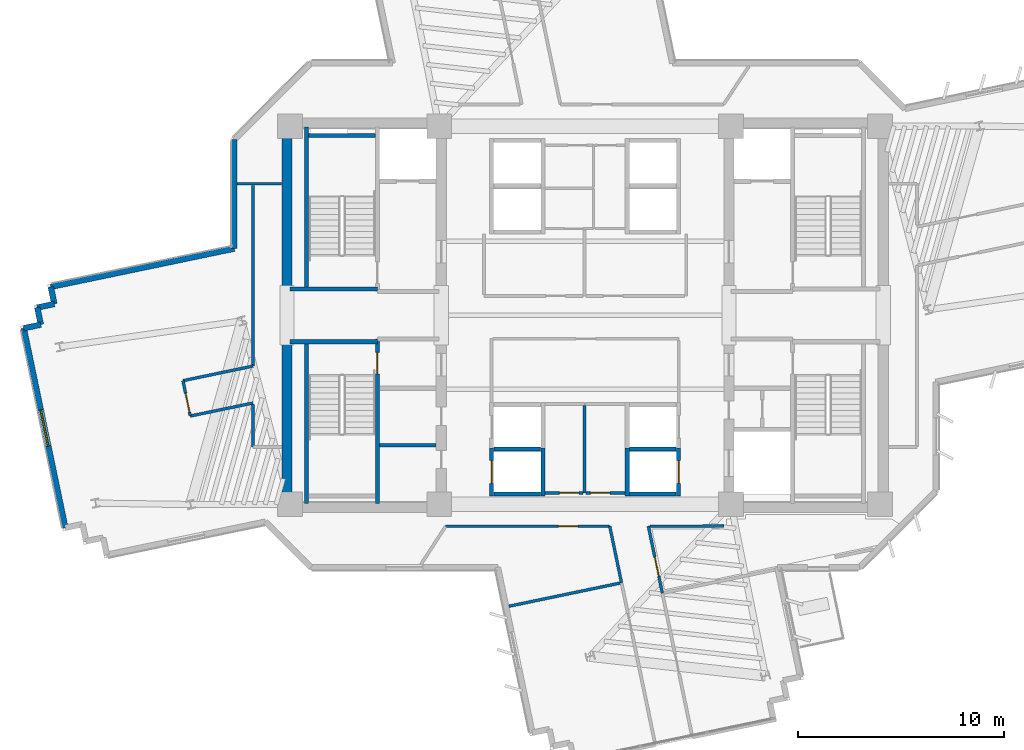
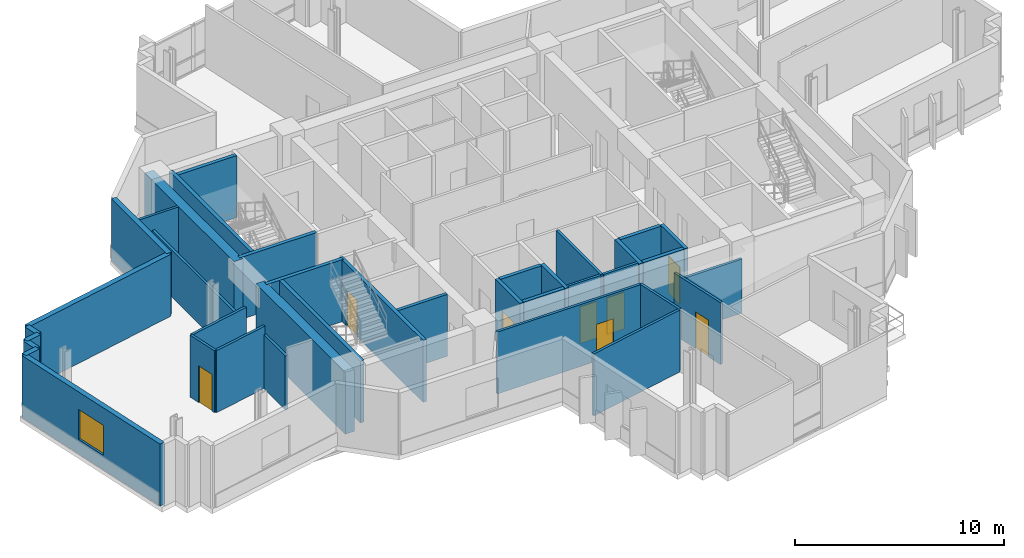
# One storey, part 7 of 14: 38 walls, 8 doors, 1 window, 9 openings.
"""IFC4 building model written with IfcOpenShell, lengths in metres."""

import ifcopenshell
import ifcopenshell.guid

model = None  # the IFC model being written
_history = None  # IfcOwnerHistory: only IFC2X3 demands one
_inside = {}  # id of a spatial element -> (the spatial element, [elements in it])
_under = {}  # id of a project, library or spatial element -> (it, [spatial elements below it])
_declared = {}  # id of a project -> (the project, [libraries it declares])
_typed = {}  # id of a type object -> (the type object, [elements of that type])
_made_of = {}  # id of a material, layer set ... -> (it, [elements and type objects made of it])


def new_model(schema):
    """Start an empty IFC model of exactly this schema.

    Asked for "IFC4X3", IfcOpenShell would pick the latest addendum, in which some entities
    have other attributes; the version numbers below select the first issue.
    IFC2X3 requires an IfcOwnerHistory on every rooted entity: one is made here for all.
    """
    global model, _history
    if schema == "IFC4X3":
        model = ifcopenshell.file(schema_version=(4, 3, 0, 0))
    else:
        model = ifcopenshell.file(schema=schema)
    _inside.clear()
    _under.clear()
    _declared.clear()
    _typed.clear()
    _made_of.clear()
    _history = None
    if model.schema == "IFC2X3":
        org = make("IfcOrganization", Name="unknown")
        user = make(
            "IfcPersonAndOrganization",
            ThePerson=make("IfcPerson", FamilyName="unknown"),
            TheOrganization=org,
        )
        app = make(
            "IfcApplication",
            ApplicationDeveloper=org,
            Version="unknown",
            ApplicationFullName="unknown",
            ApplicationIdentifier="unknown",
        )
        _history = make(
            "IfcOwnerHistory",
            OwningUser=user,
            OwningApplication=app,
            ChangeAction="ADDED",
            CreationDate=0,
        )
    return model


def make(cls, **values):
    """One entity of the class cls with the attributes given. An attribute that is None is left unset."""
    return model.create_entity(
        cls, **{name: value for name, value in values.items() if value is not None}
    )


def rooted(cls, **values):
    """An entity with a GlobalId (a new one), such as an element, a storey or a relation."""
    return make(cls, GlobalId=ifcopenshell.guid.new(), OwnerHistory=_history, **values)


def si_unit(unit_type, name, prefix=None):
    """IfcSIUnit, for example si_unit("LENGTHUNIT", "METRE", prefix="MILLI")."""
    return make("IfcSIUnit", UnitType=unit_type, Prefix=prefix, Name=name)


def assignment(units):
    """IfcUnitAssignment: the units of a project."""
    return None if units is None else make("IfcUnitAssignment", Units=units)


def point(xyz):
    """IfcCartesianPoint."""
    return None if xyz is None else make("IfcCartesianPoint", Coordinates=xyz)


def direction(xyz):
    """IfcDirection."""
    return None if xyz is None else make("IfcDirection", DirectionRatios=xyz)


def frame(location, z_axis=None, x_axis=None):
    """IfcAxis2Placement3D, a coordinate frame: its origin and axes. An axis left out is left unset."""
    return make(
        "IfcAxis2Placement3D",
        Location=point(location),
        Axis=direction(z_axis),
        RefDirection=direction(x_axis),
    )


def frame_2d(location, x_axis=None):
    """IfcAxis2Placement2D, a coordinate frame in the plane: its origin and x axis."""
    return make(
        "IfcAxis2Placement2D", Location=point(location), RefDirection=direction(x_axis)
    )


def origin():
    """The frame at (0, 0, 0) with its axes left unset."""
    return frame((0.0, 0.0, 0.0))


def place(relative_to, where):
    """IfcLocalPlacement: puts the frame where relative to a parent placement (None: the world)."""
    return make(
        "IfcLocalPlacement", PlacementRelTo=relative_to, RelativePlacement=where
    )


def context(
    kind, dimensions, precision=None, world=None, true_north=None, identifier=None
):
    """IfcGeometricRepresentationContext, for example the 3D "Model" context."""
    return make(
        "IfcGeometricRepresentationContext",
        ContextIdentifier=identifier,
        ContextType=kind,
        CoordinateSpaceDimension=dimensions,
        Precision=precision,
        WorldCoordinateSystem=world,
        TrueNorth=true_north,
    )


def subcontext(parent, identifier, kind, view, scale=None):
    """IfcGeometricRepresentationSubContext, for example "Body" below "Model"."""
    return make(
        "IfcGeometricRepresentationSubContext",
        ContextIdentifier=identifier,
        ContextType=kind,
        ParentContext=parent,
        TargetScale=scale,
        TargetView=view,
    )


def project(units=None, contexts=None):
    """IfcProject with its units and contexts."""
    return rooted(
        "IfcProject",
        Name="project",
        RepresentationContexts=contexts,
        UnitsInContext=assignment(units),
    )


def spatial(cls, under=None, at=None, **own):
    """A site, building, storey or space (cls), placed at a placement, below another one or the project."""
    s = rooted(cls, ObjectPlacement=at, **own)
    if under is not None:
        _under.setdefault(under.id(), (under, []))[1].append(s)
    return s


def profile(cls, at=None, kind="AREA", **sizes):
    """A parametric profile (cls). Its sizes go by their IFC names, for example OverallWidth=200.0."""
    return make(cls, ProfileType=kind, Position=at, **sizes)


def rectangle(**sizes):
    """IfcRectangleProfileDef."""
    return profile("IfcRectangleProfileDef", **sizes)


def extrude(swept, where, along, depth):
    """IfcExtrudedAreaSolid: the profile swept, set in the frame where, extruded along a direction by depth."""
    return make(
        "IfcExtrudedAreaSolid",
        SweptArea=swept,
        Position=where,
        ExtrudedDirection=direction(along),
        Depth=depth,
    )


def shape(context_of_items, identifier, shape_type, items):
    """IfcShapeRepresentation: the items that make up one representation, for example the "Body"."""
    return make(
        "IfcShapeRepresentation",
        ContextOfItems=context_of_items,
        RepresentationIdentifier=identifier,
        RepresentationType=shape_type,
        Items=items,
    )


def source(mapping_origin, context_of_items, identifier, shape_type, items):
    """IfcRepresentationMap: a shape defined once, which mapped items show again and again."""
    return make(
        "IfcRepresentationMap",
        MappingOrigin=mapping_origin,
        MappedRepresentation=shape(context_of_items, identifier, shape_type, items),
    )


def transform(
    local_origin,
    x_axis=None,
    y_axis=None,
    z_axis=None,
    scale=None,
    scale2=None,
    scale3=None,
    uniform=True,
):
    """IfcCartesianTransformationOperator3D, or its non-uniform kind. x_axis, y_axis, z_axis: its Axis1, 2, 3."""
    if uniform:
        return make(
            "IfcCartesianTransformationOperator3D",
            Axis1=direction(x_axis),
            Axis2=direction(y_axis),
            LocalOrigin=point(local_origin),
            Scale=scale,
            Axis3=direction(z_axis),
        )
    return make(
        "IfcCartesianTransformationOperator3DnonUniform",
        Axis1=direction(x_axis),
        Axis2=direction(y_axis),
        LocalOrigin=point(local_origin),
        Scale=scale,
        Axis3=direction(z_axis),
        Scale2=scale2,
        Scale3=scale3,
    )


def mapped(mapping_source, mapping_target):
    """IfcMappedItem: shows the shape of a source again, moved by a transform."""
    return make(
        "IfcMappedItem", MappingSource=mapping_source, MappingTarget=mapping_target
    )


def material(Name=None, Category=None):
    """IfcMaterial."""
    return make("IfcMaterial", Name=Name, Category=Category)


def layer(
    of_material, thickness, ventilated=None, Name=None, Category=None, Priority=None
):
    """IfcMaterialLayer: one layer of a wall or slab, of a material (None: an air gap)."""
    return make(
        "IfcMaterialLayer",
        Material=of_material,
        LayerThickness=thickness,
        IsVentilated=ventilated,
        Name=Name,
        Category=Category,
        Priority=Priority,
    )


def layer_set(layers, Name=None):
    """IfcMaterialLayerSet."""
    return make("IfcMaterialLayerSet", MaterialLayers=layers, LayerSetName=Name)


def made_of(thing, what):
    """Note that an element or type object is made of a material, layer set ...; save() writes the relation."""
    if what is not None:
        _made_of.setdefault(what.id(), (what, []))[1].append(thing)
    return thing


def type_object(cls, material=None, **own):
    """A type object (cls), such as IfcWallType, which elements share."""
    return made_of(rooted(cls, **own), material)


def element(
    cls,
    number,
    at=None,
    inside=None,
    cuts=None,
    type_object=None,
    material=None,
    context=None,
    identifier="Body",
    shape_type=None,
    held_by="IfcProductDefinitionShape",
    body=None,
    shapes=None,
    **own,
):
    """One element of the class cls, such as IfcWall. Its Tag is "e" and its number.

    at: its placement. inside: the storey or other place that contains it. cuts: it is an
    opening in that element (IfcRelVoidsElement). A single representation is given by context,
    identifier, shape_type and body (its items); several are given by shapes. held_by: the class
    of the entity that holds the representations. save() writes the other relations.
    """
    e = rooted(cls, Tag="e%d" % number, ObjectPlacement=at, **own)
    if body is not None:
        shapes = [shape(context, identifier, shape_type, body)]
    if shapes is not None:
        e.Representation = make(held_by, Representations=shapes)
    if inside is not None:
        _inside.setdefault(inside.id(), (inside, []))[1].append(e)
    if cuts is not None:
        rooted(
            "IfcRelVoidsElement", RelatingBuildingElement=cuts, RelatedOpeningElement=e
        )
    if type_object is not None:
        _typed.setdefault(type_object.id(), (type_object, []))[1].append(e)
    return made_of(e, material)


def fill(opening, filler):
    """IfcRelFillsElement: the door or window that sits in an opening."""
    return rooted(
        "IfcRelFillsElement",
        RelatingOpeningElement=opening,
        RelatedBuildingElement=filler,
    )


def aggregate(whole, parts):
    """IfcRelAggregates: a whole, such as a stair, and the parts it consists of."""
    return rooted("IfcRelAggregates", RelatingObject=whole, RelatedObjects=parts)


def save(model, path):
    """Write the relations noted so far, then the file.

    IfcRelAggregates (storeys below a building ...), IfcRelContainedInSpatialStructure (elements
    in a storey), IfcRelDefinesByType, IfcRelAssociatesMaterial and IfcRelDeclares: one each for
    every whole, place, type object, material and project.
    """
    for whole, parts in _under.values():
        aggregate(whole, parts)
    for where, things in _inside.values():
        rooted(
            "IfcRelContainedInSpatialStructure",
            RelatedElements=things,
            RelatingStructure=where,
        )
    for kind, things in _typed.values():
        rooted("IfcRelDefinesByType", RelatedObjects=things, RelatingType=kind)
    for what, things in _made_of.values():
        rooted("IfcRelAssociatesMaterial", RelatedObjects=things, RelatingMaterial=what)
    for by, libraries in _declared.values():
        rooted("IfcRelDeclares", RelatingContext=by, RelatedDefinitions=libraries)
    model.write(path)


model = new_model("IFC4")

# Units and contexts
model_context = context("Model", 3, precision=1e-05, world=origin(), true_north=direction((0.0, 1.0)))
body_context = subcontext(model_context, "Body", "Model", "MODEL_VIEW")
ifc_project = project(units=[si_unit("LENGTHUNIT", "METRE"), si_unit("AREAUNIT", "SQUARE_METRE"), si_unit("VOLUMEUNIT", "CUBIC_METRE"), si_unit("PLANEANGLEUNIT", "RADIAN"), si_unit("MASSUNIT", "GRAM", prefix="KILO")], contexts=[model_context])

# Site, building, storey
site_placement = place(None, origin())
site = spatial("IfcSite", under=ifc_project, at=site_placement, CompositionType="ELEMENT")
building_placement = place(site_placement, origin())
building = spatial("IfcBuilding", under=site, at=building_placement, Name="Zahravan Cultural Tower", CompositionType="ELEMENT")
storey_placement = place(building_placement, frame((0.0, 0.0, 166.800048828125)))
storey = spatial("IfcBuildingStorey", under=building, at=storey_placement, Name="L38", CompositionType="ELEMENT", Elevation=166.800048828125)

# Wall, opening, window
ifc_material_1 = material(Name="Precast concrete C40/50", Category="concrete")
ifc_layer_1 = layer(ifc_material_1, 0.280029296875)
ifc_layer_set_1 = layer_set([ifc_layer_1], Name="Precast concrete C40/50")
wall_type_1 = type_object("IfcWallType", Name="EW-TC-280", PredefinedType="SOLIDWALL", material=ifc_layer_set_1)
wall_1_placement = place(storey_placement, frame((10.71826171875, 16.660888671875, 0.0), z_axis=(0.0, 0.0, 1.0), x_axis=(-0.204150812873, 0.978939449406, 0.0)))
wall_1 = element("IfcWall", 1, at=wall_1_placement, inside=storey, type_object=wall_type_1, Name="L38 Exterior Masonry Frame Wall 32", PredefinedType="SOLIDWALL", context=body_context, shape_type="SweptSolid", body=[
    extrude(rectangle(XDim=9.919921875, YDim=0.280029296875, at=frame_2d((4.9599609375, 0.0))), origin(), (0.0, 0.0, 1.0), 3.619873046875),
])
opening_1_placement = place(wall_1_placement, frame((4.06005859375, 0.0, 0.85009765625)))
opening_1 = element("IfcOpeningElement", 2, at=opening_1_placement, cuts=wall_1, Name="Opening WN-02", PredefinedType="OPENING", context=body_context, shape_type="SweptSolid", body=[
    extrude(rectangle(XDim=1.800048828125, YDim=1.75, at=frame_2d((0.89990234375, 0.875))), frame((0.0, 0.14990234375, 0.0), z_axis=(0.0, -1.0, 0.0), x_axis=(1.0, 0.0, 0.0)), (0.0, 0.0, 1.0), 0.300048828125),
])
ifc_material_2 = material(Name="Low-E solar-control double glazing", Category="glass")
window_type = type_object("IfcWindowType", Name="WN-REC-1800X1750", PartitioningType="DOUBLE_PANEL_VERTICAL", PredefinedType="WINDOW", material=ifc_material_2)
shared_shape_1 = source(origin(), body_context, "Body", "SweptSolid", [
    extrude(rectangle(XDim=1.800048828125, YDim=1.75, at=frame_2d((0.89990234375, 0.875))), frame((0.0, 0.030029296875, 0.0), z_axis=(0.0, -1.0, 0.0), x_axis=(1.0, 0.0, 0.0)), (0.0, 0.0, 1.0), 0.06005859375),
])
window_placement = place(opening_1_placement, origin())
window = element("IfcWindow", 3, at=window_placement, inside=storey, type_object=window_type, Name="L38 Recessed Solar Window 08", OverallHeight=1.75, OverallWidth=1.800048828125, PartitioningType="DOUBLE_PANEL_VERTICAL", PredefinedType="WINDOW", context=body_context, shape_type="MappedRepresentation", body=[
    mapped(shared_shape_1, transform((0.0, 0.0, 0.0), x_axis=(1.0, 0.0, 0.0), y_axis=(0.0, 1.0, 0.0), z_axis=(0.0, 0.0, 1.0), scale=1.0)),
])
fill(opening_1, window)

# Wall, opening, door
ifc_material_3 = material(Name="Gypsum plasterboard partition")
ifc_layer_2 = layer(ifc_material_3, 0.139892578125)
ifc_layer_set_2 = layer_set([ifc_layer_2], Name="Gypsum plasterboard partition")
wall_type_2 = type_object("IfcWallType", Name="W-PART-140", PredefinedType="PARTITIONING", material=ifc_layer_set_2)
wall_2_placement = place(storey_placement, frame((35.89501953125, 18.360107421875, 0.0), z_axis=(0.0, 0.0, 1.0), x_axis=(-1.0, 0.0, 0.0)))
wall_2 = element("IfcWall", 4, at=wall_2_placement, inside=storey, type_object=wall_type_2, Name="L38 Interior Wall 065", PredefinedType="PARTITIONING", context=body_context, shape_type="SweptSolid", body=[
    extrude(rectangle(XDim=1.840087890625, YDim=0.139892578125, at=frame_2d((0.919921875, 0.0))), origin(), (0.0, 0.0, 1.0), 3.619873046875),
])
opening_2_placement = place(wall_2_placement, frame((0.19580078125, 0.0, 0.0)))
opening_2 = element("IfcOpeningElement", 5, at=opening_2_placement, cuts=wall_2, Name="Opening D-L38-18", PredefinedType="OPENING", context=body_context, shape_type="SweptSolid", body=[
    extrude(rectangle(XDim=0.949951171875, YDim=2.14990234375, at=frame_2d((0.47509765625, 1.074951171875))), frame((0.0, 0.079833984375, 0.0), z_axis=(0.0, -1.0, 0.0), x_axis=(1.0, 0.0, 0.0)), (0.0, 0.0, 1.0), 0.159912109375),
])
ifc_material_4 = material(Name="Anodised bronze-aluminium mullion", Category="aluminium")
door_type_1 = type_object("IfcDoorType", Name="DR-ROOM-950", OperationType="NOTDEFINED", PredefinedType="DOOR", material=ifc_material_4)
shared_shape_2 = source(origin(), body_context, "Body", "SweptSolid", [
    extrude(rectangle(XDim=0.949951171875, YDim=2.14990234375, at=frame_2d((0.47509765625, 1.074951171875))), frame((0.0, 0.02490234375, 0.0), z_axis=(0.0, -1.0, 0.0), x_axis=(1.0, 0.0, 0.0)), (0.0, 0.0, 1.0), 0.050048828125),
])
door_1_placement = place(opening_2_placement, origin())
door_1 = element("IfcDoor", 6, at=door_1_placement, inside=storey, type_object=door_type_1, Name="L38 Door D-L38-18", OperationType="SINGLE_SWING_LEFT", OverallHeight=2.14990234375, OverallWidth=0.949951171875, PredefinedType="DOOR", context=body_context, shape_type="MappedRepresentation", body=[
    mapped(shared_shape_2, transform((0.0, 0.0, 0.0), x_axis=(1.0, 0.0, 0.0), y_axis=(0.0, 1.0, 0.0), z_axis=(0.0, 0.0, 1.0), scale=1.0)),
])
fill(opening_2, door_1)

wall_3_placement = place(storey_placement, frame((37.945068359375, 18.360107421875, 0.0), z_axis=(0.0, 0.0, 1.0), x_axis=(-1.0, 0.0, 0.0)))
wall_3 = element("IfcWall", 7, at=wall_3_placement, inside=storey, type_object=wall_type_2, Name="L38 Interior Wall 067", PredefinedType="PARTITIONING", context=body_context, shape_type="SweptSolid", body=[
    extrude(rectangle(XDim=1.900146484375, YDim=0.139892578125, at=frame_2d((0.9501953125, 0.0))), origin(), (0.0, 0.0, 1.0), 3.619873046875),
])
opening_3_placement = place(wall_3_placement, frame((0.740966796875, 0.0, 0.0)))
opening_3 = element("IfcOpeningElement", 8, at=opening_3_placement, cuts=wall_3, Name="Opening D-L38-19", PredefinedType="OPENING", context=body_context, shape_type="SweptSolid", body=[
    extrude(rectangle(XDim=0.949951171875, YDim=2.14990234375, at=frame_2d((0.47509765625, 1.074951171875))), frame((0.0, 0.079833984375, 0.0), z_axis=(0.0, -1.0, 0.0), x_axis=(1.0, 0.0, 0.0)), (0.0, 0.0, 1.0), 0.159912109375),
])
door_2_placement = place(opening_3_placement, origin())
door_2 = element("IfcDoor", 9, at=door_2_placement, inside=storey, type_object=door_type_1, Name="L38 Door D-L38-19", OperationType="SINGLE_SWING_RIGHT", OverallHeight=2.14990234375, OverallWidth=0.949951171875, PredefinedType="DOOR", context=body_context, shape_type="MappedRepresentation", body=[
    mapped(shared_shape_2, transform((0.0, 0.0, 0.0), x_axis=(1.0, 0.0, 0.0), y_axis=(0.0, 1.0, 0.0), z_axis=(0.0, 0.0, 1.0), scale=1.0)),
])
fill(opening_3, door_2)

wall_4_placement = place(storey_placement, frame((29.219482421875, 16.739990234375, 0.0), z_axis=(0.0, 0.0, 1.0), x_axis=(1.0, 0.0, 0.0)))
wall_4 = element("IfcWall", 10, at=wall_4_placement, inside=storey, type_object=wall_type_2, Name="L38 Interior Wall 073", PredefinedType="PARTITIONING", context=body_context, shape_type="SweptSolid", body=[
    extrude(rectangle(XDim=7.98046875, YDim=0.139892578125, at=frame_2d((3.990234375, 0.0))), origin(), (0.0, 0.0, 1.0), 3.619873046875),
])
opening_4_placement = place(wall_4_placement, frame((5.483642578125, 0.0, 0.0)))
opening_4 = element("IfcOpeningElement", 11, at=opening_4_placement, cuts=wall_4, Name="Opening D-L38-25", PredefinedType="OPENING", context=body_context, shape_type="SweptSolid", body=[
    extrude(rectangle(XDim=0.949951171875, YDim=2.14990234375, at=frame_2d((0.47509765625, 1.074951171875))), frame((0.0, 0.079833984375, 0.0), z_axis=(0.0, -1.0, 0.0), x_axis=(1.0, 0.0, 0.0)), (0.0, 0.0, 1.0), 0.159912109375),
])
door_3_placement = place(opening_4_placement, origin())
door_3 = element("IfcDoor", 12, at=door_3_placement, inside=storey, type_object=door_type_1, Name="L38 Door D-L38-25", OperationType="SINGLE_SWING_RIGHT", OverallHeight=2.14990234375, OverallWidth=0.949951171875, PredefinedType="DOOR", context=body_context, shape_type="MappedRepresentation", body=[
    mapped(shared_shape_2, transform((0.0, 0.0, 0.0), x_axis=(1.0, 0.0, 0.0), y_axis=(0.0, 1.0, 0.0), z_axis=(0.0, 0.0, 1.0), scale=1.0)),
])
fill(opening_4, door_3)

wall_5_placement = place(storey_placement, frame((39.7587890625, 13.482666015625, 0.0), z_axis=(0.0, 0.0, 1.0), x_axis=(-0.204124193585, 0.97894500029, 0.0)))
wall_5 = element("IfcWall", 13, at=wall_5_placement, inside=storey, type_object=wall_type_2, Name="L38 Interior Wall 080", PredefinedType="PARTITIONING", context=body_context, shape_type="SweptSolid", body=[
    extrude(rectangle(XDim=3.327392578125, YDim=0.139892578125, at=frame_2d((1.66357421875, 0.0))), origin(), (0.0, 0.0, 1.0), 3.619873046875),
])
opening_5_placement = place(wall_5_placement, frame((0.83203125, 0.0, 0.0)))
opening_5 = element("IfcOpeningElement", 14, at=opening_5_placement, cuts=wall_5, Name="Opening D-L38-27", PredefinedType="OPENING", context=body_context, shape_type="SweptSolid", body=[
    extrude(rectangle(XDim=0.949951171875, YDim=2.14990234375, at=frame_2d((0.47509765625, 1.074951171875))), frame((0.0, 0.079833984375, 0.0), z_axis=(0.0, -1.0, 0.0), x_axis=(1.0, 0.0, 0.0)), (0.0, 0.0, 1.0), 0.159912109375),
])
door_4_placement = place(opening_5_placement, origin())
door_4 = element("IfcDoor", 15, at=door_4_placement, inside=storey, type_object=door_type_1, Name="L38 Door D-L38-27", OperationType="SINGLE_SWING_RIGHT", OverallHeight=2.14990234375, OverallWidth=0.949951171875, PredefinedType="DOOR", context=body_context, shape_type="MappedRepresentation", body=[
    mapped(shared_shape_2, transform((0.0, 0.0, 0.0), x_axis=(1.0, 0.0, 0.0), y_axis=(0.0, 1.0, 0.0), z_axis=(0.0, 0.0, 1.0), scale=1.0)),
])
fill(opening_5, door_4)

wall_6_placement = place(storey_placement, frame((16.43994140625, 23.818359375, 0.0), z_axis=(0.0, 0.0, 1.0), x_axis=(0.202959786933, -0.979187073489, 0.0)))
wall_6 = element("IfcWall", 16, at=wall_6_placement, inside=storey, type_object=wall_type_2, Name="L38 Interior Wall 099", PredefinedType="PARTITIONING", context=body_context, shape_type="SweptSolid", body=[
    extrude(rectangle(XDim=1.755126953125, YDim=0.139892578125, at=frame_2d((0.87744140625, 0.0))), origin(), (0.0, 0.0, 1.0), 3.619873046875),
])
opening_6_placement = place(wall_6_placement, frame((0.6279296875, 0.0, 0.0)))
opening_6 = element("IfcOpeningElement", 17, at=opening_6_placement, cuts=wall_6, Name="Opening D-L38-24", PredefinedType="OPENING", context=body_context, shape_type="SweptSolid", body=[
    extrude(rectangle(XDim=0.949951171875, YDim=2.14990234375, at=frame_2d((0.47509765625, 1.074951171875))), frame((0.0, 0.079833984375, 0.0), z_axis=(0.0, -1.0, 0.0), x_axis=(1.0, 0.0, 0.0)), (0.0, 0.0, 1.0), 0.159912109375),
])
door_5_placement = place(opening_6_placement, origin())
door_5 = element("IfcDoor", 18, at=door_5_placement, inside=storey, type_object=door_type_1, Name="L38 Door D-L38-24", OperationType="SINGLE_SWING_LEFT", OverallHeight=2.14990234375, OverallWidth=0.949951171875, PredefinedType="DOOR", context=body_context, shape_type="MappedRepresentation", body=[
    mapped(shared_shape_2, transform((0.0, 0.0, 0.0), x_axis=(1.0, 0.0, 0.0), y_axis=(0.0, 1.0, 0.0), z_axis=(0.0, 0.0, 1.0), scale=1.0)),
])
fill(opening_6, door_5)

ifc_material_5 = material(Name="Concrete C45/55", Category="concrete")
ifc_layer_3 = layer(ifc_material_5, 0.199951171875)
ifc_layer_set_3 = layer_set([ifc_layer_3], Name="Concrete C45/55")
wall_type_3 = type_object("IfcWallType", Name="W-SHAFT-200", PredefinedType="SOLIDWALL", material=ifc_layer_set_3)
wall_7_placement = place(storey_placement, frame((25.89990234375, 17.85009765625, 0.0), z_axis=(0.0, 0.0, 1.0), x_axis=(0.0, 1.0, 0.0)))
wall_7 = element("IfcWall", 19, at=wall_7_placement, inside=storey, type_object=wall_type_3, Name="L38 Interior Wall 005", PredefinedType="SOLIDWALL", context=body_context, shape_type="SweptSolid", body=[
    extrude(rectangle(XDim=8.0, YDim=0.199951171875, at=frame_2d((4.0, 0.0))), origin(), (0.0, 0.0, 1.0), 3.619873046875),
])
opening_7_placement = place(wall_7_placement, frame((6.300048828125, 0.0, 0.0)))
opening_7 = element("IfcOpeningElement", 20, at=opening_7_placement, cuts=wall_7, Name="Opening D-L38-04", PredefinedType="OPENING", context=body_context, shape_type="SweptSolid", body=[
    extrude(rectangle(XDim=1.050048828125, YDim=2.14990234375, at=frame_2d((0.52490234375, 1.074951171875))), frame((0.0, 0.10986328125, 0.0), z_axis=(0.0, -1.0, 0.0), x_axis=(1.0, 0.0, 0.0)), (0.0, 0.0, 1.0), 0.219970703125),
])
ifc_material_6 = material(Name="Steel ASTM A572 Grade 50", Category="steel")
door_type_2 = type_object("IfcDoorType", Name="DR-STAIR-1050", OperationType="NOTDEFINED", PredefinedType="DOOR", material=ifc_material_6)
shared_shape_3 = source(origin(), body_context, "Body", "SweptSolid", [
    extrude(rectangle(XDim=1.050048828125, YDim=2.14990234375, at=frame_2d((0.52490234375, 1.074951171875))), frame((0.0, 0.02490234375, 0.0), z_axis=(0.0, -1.0, 0.0), x_axis=(1.0, 0.0, 0.0)), (0.0, 0.0, 1.0), 0.050048828125),
])
door_6_placement = place(opening_7_placement, origin())
door_6 = element("IfcDoor", 21, at=door_6_placement, inside=storey, type_object=door_type_2, Name="L38 Door D-L38-04", OperationType="SINGLE_SWING_LEFT", OverallHeight=2.14990234375, OverallWidth=1.050048828125, PredefinedType="DOOR", context=body_context, shape_type="MappedRepresentation", body=[
    mapped(shared_shape_3, transform((0.0, 0.0, 0.0), x_axis=(1.0, 0.0, 0.0), y_axis=(0.0, 1.0, 0.0), z_axis=(0.0, 0.0, 1.0), scale=1.0)),
])
fill(opening_7, door_6)

wall_8_placement = place(storey_placement, frame((31.449951171875, 18.199951171875, 0.0), z_axis=(0.0, 0.0, 1.0), x_axis=(0.0, 1.0, 0.0)))
wall_8 = element("IfcWall", 22, at=wall_8_placement, inside=storey, type_object=wall_type_3, Name="L38 Interior Wall 046", PredefinedType="SOLIDWALL", context=body_context, shape_type="SweptSolid", body=[
    extrude(rectangle(XDim=2.35009765625, YDim=0.199951171875, at=frame_2d((1.175048828125, 0.0))), origin(), (0.0, 0.0, 1.0), 3.619873046875),
])
opening_8_placement = place(wall_8_placement, frame((0.625, 0.0, 0.0)))
opening_8 = element("IfcOpeningElement", 23, at=opening_8_placement, cuts=wall_8, Name="Opening LD-L38-05", PredefinedType="OPENING", context=body_context, shape_type="SweptSolid", body=[
    extrude(rectangle(XDim=1.10009765625, YDim=2.14990234375, at=frame_2d((0.550048828125, 1.074951171875))), frame((0.0, 0.10986328125, 0.0), z_axis=(0.0, -1.0, 0.0), x_axis=(1.0, 0.0, 0.0)), (0.0, 0.0, 1.0), 0.219970703125),
])
door_type_3 = type_object("IfcDoorType", Name="DR-LIFT-1100", OperationType="DOUBLE_DOOR_SLIDING", PredefinedType="DOOR", material=ifc_material_6)
shared_shape_4 = source(origin(), body_context, "Body", "SweptSolid", [
    extrude(rectangle(XDim=1.10009765625, YDim=2.14990234375, at=frame_2d((0.550048828125, 1.074951171875))), frame((0.0, 0.02490234375, 0.0), z_axis=(0.0, -1.0, 0.0), x_axis=(1.0, 0.0, 0.0)), (0.0, 0.0, 1.0), 0.050048828125),
])
door_7_placement = place(opening_8_placement, origin())
door_7 = element("IfcDoor", 24, at=door_7_placement, inside=storey, type_object=door_type_3, Name="L38 Door LD-L38-05", OperationType="DOUBLE_DOOR_SLIDING", OverallHeight=2.14990234375, OverallWidth=1.10009765625, PredefinedType="DOOR", context=body_context, shape_type="MappedRepresentation", body=[
    mapped(shared_shape_4, transform((0.0, 0.0, 0.0), x_axis=(1.0, 0.0, 0.0), y_axis=(0.0, 1.0, 0.0), z_axis=(0.0, 0.0, 1.0), scale=1.0)),
])
fill(opening_8, door_7)

wall_9_placement = place(storey_placement, frame((40.550048828125, 18.199951171875, 0.0), z_axis=(0.0, 0.0, 1.0), x_axis=(0.0, 1.0, 0.0)))
wall_9 = element("IfcWall", 25, at=wall_9_placement, inside=storey, type_object=wall_type_3, Name="L38 Interior Wall 054", PredefinedType="SOLIDWALL", context=body_context, shape_type="SweptSolid", body=[
    extrude(rectangle(XDim=2.35009765625, YDim=0.199951171875, at=frame_2d((1.175048828125, 0.0))), origin(), (0.0, 0.0, 1.0), 3.619873046875),
])
opening_9_placement = place(wall_9_placement, frame((0.625, 0.0, 0.0)))
opening_9 = element("IfcOpeningElement", 26, at=opening_9_placement, cuts=wall_9, Name="Opening LD-L38-07", PredefinedType="OPENING", context=body_context, shape_type="SweptSolid", body=[
    extrude(rectangle(XDim=1.10009765625, YDim=2.14990234375, at=frame_2d((0.550048828125, 1.074951171875))), frame((0.0, 0.10986328125, 0.0), z_axis=(0.0, -1.0, 0.0), x_axis=(1.0, 0.0, 0.0)), (0.0, 0.0, 1.0), 0.219970703125),
])
door_8_placement = place(opening_9_placement, origin())
door_8 = element("IfcDoor", 27, at=door_8_placement, inside=storey, type_object=door_type_3, Name="L38 Door LD-L38-07", OperationType="DOUBLE_DOOR_SLIDING", OverallHeight=2.14990234375, OverallWidth=1.10009765625, PredefinedType="DOOR", context=body_context, shape_type="MappedRepresentation", body=[
    mapped(shared_shape_4, transform((0.0, 0.0, 0.0), x_axis=(1.0, 0.0, 0.0), y_axis=(0.0, 1.0, 0.0), z_axis=(0.0, 0.0, 1.0), scale=1.0)),
])
fill(opening_9, door_8)

# Walls
ifc_material_7 = material(Name="Concrete C60/75", Category="concrete")
ifc_layer_4 = layer(ifc_material_7, 0.5)
ifc_layer_set_4 = layer_set([ifc_layer_4], Name="Concrete C60/75")
wall_type_4 = type_object("IfcWallType", Name="CW-SHEAR-500-C60", PredefinedType="SHEAR", material=ifc_layer_set_4)
shared_shape_5 = source(origin(), body_context, "Body", "SweptSolid", [
    extrude(rectangle(XDim=8.550048828125, YDim=0.5, at=frame_2d((4.27490234375, 0.0))), origin(), (0.0, 0.0, 1.0), 3.619873046875),
])
for number, where, z_axis, x_axis, name in (
    (28, (21.5, 17.39990234375, 0.0), (0.0, 0.0, 1.0), (0.0, 1.0, 0.0), "L38 Core Shear Wall CW-W-WS-L38"),
    (29, (21.5, 28.050048828125, 0.0), (0.0, 0.0, 1.0), (0.0, 1.0, 0.0), "L38 Core Shear Wall CW-W-WN-L38"),
):
    element("IfcWall", number, at=place(storey_placement, frame(where, z_axis=z_axis, x_axis=x_axis)), inside=storey, type_object=wall_type_4, Name=name, PredefinedType="SHEAR", context=body_context, shape_type="MappedRepresentation", body=[
        mapped(shared_shape_5, transform((0.0, 0.0, 0.0), x_axis=(1.0, 0.0, 0.0), y_axis=(0.0, 1.0, 0.0), z_axis=(0.0, 0.0, 1.0), scale=1.0)),
    ])
shared_shape_6 = source(origin(), body_context, "Body", "SweptSolid", [
    extrude(rectangle(XDim=0.85009765625, YDim=0.280029296875, at=frame_2d((0.425048828125, 0.0))), origin(), (0.0, 0.0, 1.0), 3.619873046875),
])
wall_10_placement = place(storey_placement, frame((10.18359375, 27.551025390625, 0.0), z_axis=(0.0, 0.0, 1.0), x_axis=(-0.203896913579, 0.97899236393, 0.0)))
element("IfcWall", 30, at=wall_10_placement, inside=storey, type_object=wall_type_1, Name="L38 Exterior Masonry Frame Wall 36", PredefinedType="SOLIDWALL", context=body_context, shape_type="MappedRepresentation", body=[
    mapped(shared_shape_6, transform((0.0, 0.0, 0.0), x_axis=(1.0, 0.0, 0.0), y_axis=(0.0, 1.0, 0.0), z_axis=(0.0, 0.0, 1.0), scale=1.0)),
])
shared_shape_7 = source(origin(), body_context, "Body", "SweptSolid", [
    extrude(rectangle(XDim=0.849853515625, YDim=0.280029296875, at=frame_2d((0.4248046875, 0.0))), origin(), (0.0, 0.0, 1.0), 3.619873046875),
])
for number, where, z_axis, x_axis, name in (
    (31, (8.693115234375, 26.371826171875, 0.0), (0.0, 0.0, 1.0), (0.978923028084, 0.20422954019, 0.0), "L38 Exterior Masonry Frame Wall 33"),
    (32, (9.525146484375, 26.54541015625, 0.0), (0.0, 0.0, 1.0), (-0.20422954019, 0.978923028084, 0.0), "L38 Exterior Masonry Frame Wall 34"),
    (33, (9.3515625, 27.37744140625, 0.0), (0.0, 0.0, 1.0), (0.978923028084, 0.20422954019, 0.0), "L38 Exterior Masonry Frame Wall 35"),
):
    element("IfcWall", number, at=place(storey_placement, frame(where, z_axis=z_axis, x_axis=x_axis)), inside=storey, type_object=wall_type_1, Name=name, PredefinedType="SOLIDWALL", context=body_context, shape_type="MappedRepresentation", body=[
        mapped(shared_shape_7, transform((0.0, 0.0, 0.0), x_axis=(1.0, 0.0, 0.0), y_axis=(0.0, 1.0, 0.0), z_axis=(0.0, 0.0, 1.0), scale=1.0)),
    ])
shared_shape_8 = source(origin(), body_context, "Body", "SweptSolid", [
    extrude(rectangle(XDim=9.121826171875, YDim=0.280029296875, at=frame_2d((4.56103515625, 0.0))), origin(), (0.0, 0.0, 1.0), 3.619873046875),
])
wall_11_placement = place(storey_placement, frame((10.01025390625, 28.38330078125, 0.0), z_axis=(0.0, 0.0, 1.0), x_axis=(0.978937646314, 0.204159458828, 0.0)))
element("IfcWall", 34, at=wall_11_placement, inside=storey, type_object=wall_type_1, Name="L38 Exterior Masonry Frame Wall 37", PredefinedType="SOLIDWALL", context=body_context, shape_type="MappedRepresentation", body=[
    mapped(shared_shape_8, transform((0.0, 0.0, 0.0), x_axis=(1.0, 0.0, 0.0), y_axis=(0.0, 1.0, 0.0), z_axis=(0.0, 0.0, 1.0), scale=1.0)),
])
shared_shape_9 = source(origin(), body_context, "Body", "SweptSolid", [
    extrude(rectangle(XDim=5.29638671875, YDim=0.280029296875, at=frame_2d((2.648193359375, 0.0))), origin(), (0.0, 0.0, 1.0), 3.619873046875),
])
wall_12_placement = place(storey_placement, frame((18.93994140625, 30.24560546875, 0.0), z_axis=(0.0, 0.0, 1.0), x_axis=(0.0, 1.0, 0.0)))
element("IfcWall", 35, at=wall_12_placement, inside=storey, type_object=wall_type_1, Name="L38 Exterior Masonry Frame Wall 38", PredefinedType="SOLIDWALL", context=body_context, shape_type="MappedRepresentation", body=[
    mapped(shared_shape_9, transform((0.0, 0.0, 0.0), x_axis=(1.0, 0.0, 0.0), y_axis=(0.0, 1.0, 0.0), z_axis=(0.0, 0.0, 1.0), scale=1.0)),
])
shared_shape_10 = source(origin(), body_context, "Body", "SweptSolid", [
    extrude(rectangle(XDim=7.869873046875, YDim=0.199951171875, at=frame_2d((3.93505859375, 0.0))), origin(), (0.0, 0.0, 1.0), 3.619873046875),
])
for number, where, z_axis, x_axis, name in (
    (36, (22.449951171875, 17.85009765625, 0.0), (0.0, 0.0, 1.0), (0.0, 1.0, 0.0), "L38 Interior Wall 001"),
    (37, (22.449951171875, 28.280029296875, 0.0), (0.0, 0.0, 1.0), (0.0, 1.0, 0.0), "L38 Interior Wall 002"),
):
    element("IfcWall", number, at=place(storey_placement, frame(where, z_axis=z_axis, x_axis=x_axis)), inside=storey, type_object=wall_type_3, Name=name, PredefinedType="SOLIDWALL", context=body_context, shape_type="MappedRepresentation", body=[
        mapped(shared_shape_10, transform((0.0, 0.0, 0.0), x_axis=(1.0, 0.0, 0.0), y_axis=(0.0, 1.0, 0.0), z_axis=(0.0, 0.0, 1.0), scale=1.0)),
    ])
shared_shape_11 = source(origin(), body_context, "Body", "SweptSolid", [
    extrude(rectangle(XDim=4.25, YDim=0.199951171875, at=frame_2d((2.125, 0.0))), origin(), (0.0, 0.0, 1.0), 3.619873046875),
])
for number, where, z_axis, x_axis, name in (
    (38, (21.64990234375, 25.715087890625, 0.0), (0.0, 0.0, 1.0), (1.0, 0.0, 0.0), "L38 Interior Wall 009"),
    (39, (21.64990234375, 28.284912109375, 0.0), (0.0, 0.0, 1.0), (1.0, 0.0, 0.0), "L38 Interior Wall 011"),
):
    element("IfcWall", number, at=place(storey_placement, frame(where, z_axis=z_axis, x_axis=x_axis)), inside=storey, type_object=wall_type_3, Name=name, PredefinedType="SOLIDWALL", context=body_context, shape_type="MappedRepresentation", body=[
        mapped(shared_shape_11, transform((0.0, 0.0, 0.0), x_axis=(1.0, 0.0, 0.0), y_axis=(0.0, 1.0, 0.0), z_axis=(0.0, 0.0, 1.0), scale=1.0)),
    ])
shared_shape_12 = source(origin(), body_context, "Body", "SweptSolid", [
    extrude(rectangle(XDim=3.25, YDim=0.199951171875, at=frame_2d((1.625, 0.0))), origin(), (0.0, 0.0, 1.0), 3.619873046875),
])
wall_13_placement = place(storey_placement, frame((22.550048828125, 35.75, 0.0), z_axis=(0.0, 0.0, 1.0), x_axis=(1.0, 0.0, 0.0)))
element("IfcWall", 40, at=wall_13_placement, inside=storey, type_object=wall_type_3, Name="L38 Interior Wall 017", PredefinedType="SOLIDWALL", context=body_context, shape_type="MappedRepresentation", body=[
    mapped(shared_shape_12, transform((0.0, 0.0, 0.0), x_axis=(1.0, 0.0, 0.0), y_axis=(0.0, 1.0, 0.0), z_axis=(0.0, 0.0, 1.0), scale=1.0)),
])
ifc_layer_5 = layer(ifc_material_3, 0.179931640625)
ifc_layer_set_5 = layer_set([ifc_layer_5], Name="Gypsum plasterboard partition")
wall_type_5 = type_object("IfcWallType", Name="W-COMP-180", PredefinedType="PARTITIONING", material=ifc_layer_set_5)
shared_shape_13 = source(origin(), body_context, "Body", "SweptSolid", [
    extrude(rectangle(XDim=2.75, YDim=0.179931640625, at=frame_2d((1.375, 0.0))), origin(), (0.0, 0.0, 1.0), 3.619873046875),
])
wall_14_placement = place(storey_placement, frame((26.0, 20.679931640625, 0.0), z_axis=(0.0, 0.0, 1.0), x_axis=(1.0, 0.0, 0.0)))
element("IfcWall", 41, at=wall_14_placement, inside=storey, type_object=wall_type_5, Name="L38 Interior Wall 026", PredefinedType="PARTITIONING", context=body_context, shape_type="MappedRepresentation", body=[
    mapped(shared_shape_13, transform((0.0, 0.0, 0.0), x_axis=(1.0, 0.0, 0.0), y_axis=(0.0, 1.0, 0.0), z_axis=(0.0, 0.0, 1.0), scale=1.0)),
])
shared_shape_14 = source(origin(), body_context, "Body", "SweptSolid", [
    extrude(rectangle(XDim=2.260009765625, YDim=0.199951171875, at=frame_2d((1.1298828125, 0.0))), origin(), (0.0, 0.0, 1.0), 3.619873046875),
])
for number, where, z_axis, x_axis, name in (
    (42, (31.570068359375, 20.5, 0.0), (0.0, 0.0, 1.0), (1.0, 0.0, 0.0), "L38 Interior Wall 044"),
    (43, (31.570068359375, 18.300048828125, 0.0), (0.0, 0.0, 1.0), (1.0, 0.0, 0.0), "L38 Interior Wall 048"),
    (44, (38.169921875, 20.5, 0.0), (0.0, 0.0, 1.0), (1.0, 0.0, 0.0), "L38 Interior Wall 051"),
    (45, (38.169921875, 18.300048828125, 0.0), (0.0, 0.0, 1.0), (1.0, 0.0, 0.0), "L38 Interior Wall 055"),
):
    element("IfcWall", number, at=place(storey_placement, frame(where, z_axis=z_axis, x_axis=x_axis)), inside=storey, type_object=wall_type_3, Name=name, PredefinedType="SOLIDWALL", context=body_context, shape_type="MappedRepresentation", body=[
        mapped(shared_shape_14, transform((0.0, 0.0, 0.0), x_axis=(1.0, 0.0, 0.0), y_axis=(0.0, 1.0, 0.0), z_axis=(0.0, 0.0, 1.0), scale=1.0)),
    ])
shared_shape_15 = source(origin(), body_context, "Body", "SweptSolid", [
    extrude(rectangle(XDim=2.35009765625, YDim=0.199951171875, at=frame_2d((1.175048828125, 0.0))), origin(), (0.0, 0.0, 1.0), 3.619873046875),
])
for number, where, z_axis, x_axis, name in (
    (46, (33.949951171875, 18.199951171875, 0.0), (0.0, 0.0, 1.0), (0.0, 1.0, 0.0), "L38 Interior Wall 047"),
    (47, (38.050048828125, 18.199951171875, 0.0), (0.0, 0.0, 1.0), (0.0, 1.0, 0.0), "L38 Interior Wall 053"),
):
    element("IfcWall", number, at=place(storey_placement, frame(where, z_axis=z_axis, x_axis=x_axis)), inside=storey, type_object=wall_type_3, Name=name, PredefinedType="SOLIDWALL", context=body_context, shape_type="MappedRepresentation", body=[
        mapped(shared_shape_15, transform((0.0, 0.0, 0.0), x_axis=(1.0, 0.0, 0.0), y_axis=(0.0, 1.0, 0.0), z_axis=(0.0, 0.0, 1.0), scale=1.0)),
    ])
shared_shape_16 = source(origin(), body_context, "Body", "SweptSolid", [
    extrude(rectangle(XDim=4.244873046875, YDim=0.139892578125, at=frame_2d((2.12255859375, 0.0))), origin(), (0.0, 0.0, 1.0), 3.619873046875),
])
wall_15_placement = place(storey_placement, frame((35.969970703125, 22.60498046875, 0.0), z_axis=(0.0, 0.0, 1.0), x_axis=(0.0, -1.0, 0.0)))
element("IfcWall", 48, at=wall_15_placement, inside=storey, type_object=wall_type_2, Name="L38 Interior Wall 064", PredefinedType="PARTITIONING", context=body_context, shape_type="MappedRepresentation", body=[
    mapped(shared_shape_16, transform((0.0, 0.0, 0.0), x_axis=(1.0, 0.0, 0.0), y_axis=(0.0, 1.0, 0.0), z_axis=(0.0, 0.0, 1.0), scale=1.0)),
])
shared_shape_17 = source(origin(), body_context, "Body", "SweptSolid", [
    extrude(rectangle(XDim=5.52001953125, YDim=0.139892578125, at=frame_2d((2.760009765625, 0.0))), origin(), (0.0, 0.0, 1.0), 3.619873046875),
])
wall_16_placement = place(storey_placement, frame((37.700439453125, 13.972900390625, 0.0), z_axis=(0.0, 0.0, 1.0), x_axis=(-0.978929612498, -0.204197976909, 0.0)))
element("IfcWall", 49, at=wall_16_placement, inside=storey, type_object=wall_type_2, Name="L38 Interior Wall 075", PredefinedType="PARTITIONING", context=body_context, shape_type="MappedRepresentation", body=[
    mapped(shared_shape_17, transform((0.0, 0.0, 0.0), x_axis=(1.0, 0.0, 0.0), y_axis=(0.0, 1.0, 0.0), z_axis=(0.0, 0.0, 1.0), scale=1.0)),
])
shared_shape_18 = source(origin(), body_context, "Body", "SweptSolid", [
    extrude(rectangle(XDim=2.81103515625, YDim=0.139892578125, at=frame_2d((1.405517578125, 0.0))), origin(), (0.0, 0.0, 1.0), 3.619873046875),
])
wall_17_placement = place(storey_placement, frame((37.199951171875, 16.739990234375, 0.0), z_axis=(0.0, 0.0, 1.0), x_axis=(0.204092977776, -0.978951508719, 0.0)))
element("IfcWall", 50, at=wall_17_placement, inside=storey, type_object=wall_type_2, Name="L38 Interior Wall 074", PredefinedType="PARTITIONING", context=body_context, shape_type="MappedRepresentation", body=[
    mapped(shared_shape_18, transform((0.0, 0.0, 0.0), x_axis=(1.0, 0.0, 0.0), y_axis=(0.0, 1.0, 0.0), z_axis=(0.0, 0.0, 1.0), scale=1.0)),
])
shared_shape_19 = source(origin(), body_context, "Body", "SweptSolid", [
    extrude(rectangle(XDim=3.590576171875, YDim=0.139892578125, at=frame_2d((1.79541015625, 0.0))), origin(), (0.0, 0.0, 1.0), 3.14892578125),
])
wall_18_placement = place(storey_placement, frame((39.156005859375, 16.739990234375, 0.0), z_axis=(0.0, 0.0, 1.0), x_axis=(0.999999942209, 0.000339974142, 0.0)))
element("IfcWall", 51, at=wall_18_placement, inside=storey, type_object=wall_type_2, Name="L38 Interior Wall 081", PredefinedType="PARTITIONING", context=body_context, shape_type="MappedRepresentation", body=[
    mapped(shared_shape_19, transform((0.0, 0.0, 0.0), x_axis=(1.0, 0.0, 0.0), y_axis=(0.0, 1.0, 0.0), z_axis=(0.0, 0.0, 1.0), scale=1.0)),
])
shared_shape_20 = source(origin(), body_context, "Body", "SweptSolid", [
    extrude(rectangle(XDim=3.118896484375, YDim=0.139892578125, at=frame_2d((1.5595703125, 0.0))), origin(), (0.0, 0.0, 1.0), 3.619873046875),
])
wall_19_placement = place(storey_placement, frame((16.796142578125, 22.099853515625, 0.0), z_axis=(0.0, 0.0, 1.0), x_axis=(0.979183767092, 0.202975738114, 0.0)))
element("IfcWall", 52, at=wall_19_placement, inside=storey, type_object=wall_type_2, Name="L38 Interior Wall 100", PredefinedType="PARTITIONING", context=body_context, shape_type="MappedRepresentation", body=[
    mapped(shared_shape_20, transform((0.0, 0.0, 0.0), x_axis=(1.0, 0.0, 0.0), y_axis=(0.0, 1.0, 0.0), z_axis=(0.0, 0.0, 1.0), scale=1.0)),
])
shared_shape_21 = source(origin(), body_context, "Body", "SweptSolid", [
    extrude(rectangle(XDim=2.05517578125, YDim=0.139892578125, at=frame_2d((1.027587890625, 0.0))), origin(), (0.0, 0.0, 1.0), 3.14892578125),
])
wall_20_placement = place(storey_placement, frame((19.85009765625, 22.656494140625, 0.0), z_axis=(0.0, 0.0, 1.0), x_axis=(0.001069136951, -0.999999428473, 0.0)))
element("IfcWall", 53, at=wall_20_placement, inside=storey, type_object=wall_type_2, Name="L38 Interior Wall 101", PredefinedType="PARTITIONING", context=body_context, shape_type="MappedRepresentation", body=[
    mapped(shared_shape_21, transform((0.0, 0.0, 0.0), x_axis=(1.0, 0.0, 0.0), y_axis=(0.0, 1.0, 0.0), z_axis=(0.0, 0.0, 1.0), scale=1.0)),
])
shared_shape_22 = source(origin(), body_context, "Body", "SweptSolid", [
    extrude(rectangle(XDim=2.1650390625, YDim=0.139892578125, at=frame_2d((1.08251953125, 0.0))), origin(), (0.0, 0.0, 1.0), 3.619873046875),
])
wall_21_placement = place(storey_placement, frame((21.2451171875, 33.39990234375, 0.0), z_axis=(0.0, 0.0, 1.0), x_axis=(-1.0, 0.0, 0.0)))
element("IfcWall", 54, at=wall_21_placement, inside=storey, type_object=wall_type_2, Name="L38 Interior Wall 103", PredefinedType="PARTITIONING", context=body_context, shape_type="MappedRepresentation", body=[
    mapped(shared_shape_22, transform((0.0, 0.0, 0.0), x_axis=(1.0, 0.0, 0.0), y_axis=(0.0, 1.0, 0.0), z_axis=(0.0, 0.0, 1.0), scale=1.0)),
])
shared_shape_23 = source(origin(), body_context, "Body", "SweptSolid", [
    extrude(rectangle(XDim=8.7939453125, YDim=0.139892578125, at=frame_2d((4.39697265625, 0.0))), origin(), (0.0, 0.0, 1.0), 2.765869140625),
])
wall_22_placement = place(storey_placement, frame((19.850341796875, 33.324951171875, 0.0), z_axis=(0.0, 0.0, 1.0), x_axis=(-2.7762354e-05, -0.999999999615, 0.0)))
element("IfcWall", 55, at=wall_22_placement, inside=storey, type_object=wall_type_2, Name="L38 Interior Wall 104", PredefinedType="PARTITIONING", context=body_context, shape_type="MappedRepresentation", body=[
    mapped(shared_shape_23, transform((0.0, 0.0, 0.0), x_axis=(1.0, 0.0, 0.0), y_axis=(0.0, 1.0, 0.0), z_axis=(0.0, 0.0, 1.0), scale=1.0)),
])
shared_shape_24 = source(origin(), body_context, "Body", "SweptSolid", [
    extrude(rectangle(XDim=3.4736328125, YDim=0.139892578125, at=frame_2d((1.73681640625, 0.0))), origin(), (0.0, 0.0, 1.0), 3.619873046875),
])
wall_23_placement = place(storey_placement, frame((19.849853515625, 24.531005859375, 0.0), z_axis=(0.0, 0.0, 1.0), x_axis=(-0.978846306479, -0.204596941061, 0.0)))
element("IfcWall", 56, at=wall_23_placement, inside=storey, type_object=wall_type_2, Name="L38 Interior Wall 105", PredefinedType="PARTITIONING", context=body_context, shape_type="MappedRepresentation", body=[
    mapped(shared_shape_24, transform((0.0, 0.0, 0.0), x_axis=(1.0, 0.0, 0.0), y_axis=(0.0, 1.0, 0.0), z_axis=(0.0, 0.0, 1.0), scale=1.0)),
])

save(model, "model.ifc")
